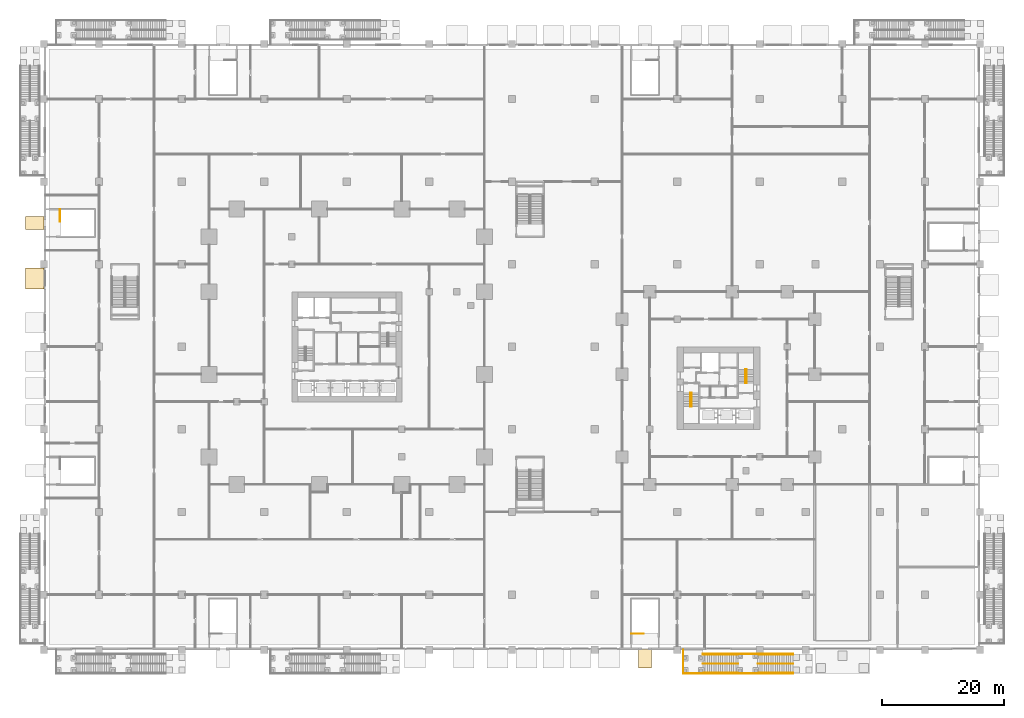
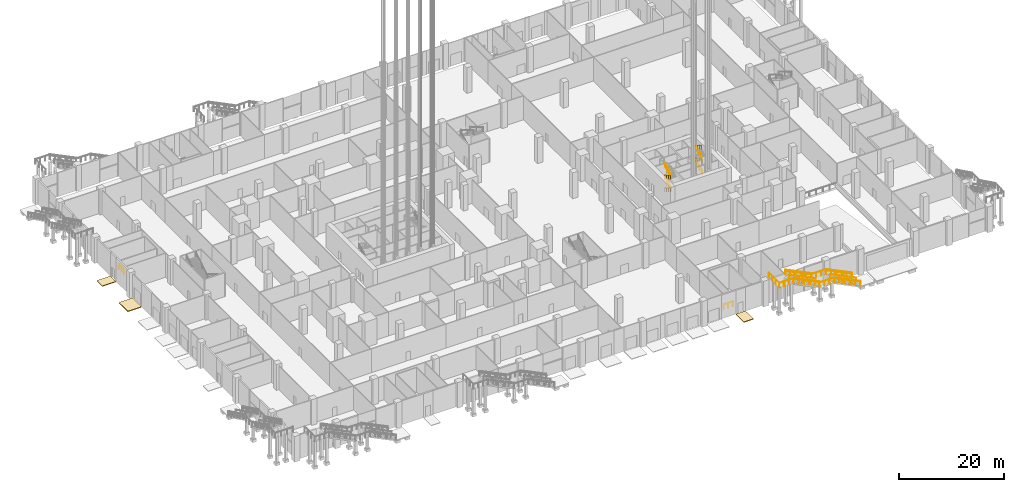
# One storey, part 62 of 68: 24 railings, 3 coverings.
"""IFC4 building model written with IfcOpenShell, lengths in metres."""

from ifc_helpers import new_model, si_unit, direction, frame, origin, origin_2d, place, context, subcontext, project, spatial, polyline, circle, outline, extrude, source, transform, mapped, material, layer, layer_set, type_object, element, save


model = new_model("IFC4")

# Units and contexts
model_context = context("Model", 3, precision=1e-05, world=origin(), true_north=direction((0.0, 1.0)))
body_context = subcontext(model_context, "Body", "Model", "MODEL_VIEW")
ifc_project = project(units=[si_unit("LENGTHUNIT", "METRE"), si_unit("AREAUNIT", "SQUARE_METRE"), si_unit("VOLUMEUNIT", "CUBIC_METRE"), si_unit("PLANEANGLEUNIT", "RADIAN"), si_unit("MASSUNIT", "GRAM", prefix="KILO")], contexts=[model_context])

# Site, building, storey
site_placement = place(None, origin())
site = spatial("IfcSite", under=ifc_project, at=site_placement, CompositionType="ELEMENT")
building_placement = place(site_placement, origin())
building = spatial("IfcBuilding", under=site, at=building_placement, Name="Altepetl Exchange Towers", CompositionType="ELEMENT")
storey_placement = place(building_placement, origin())
storey = spatial("IfcBuildingStorey", under=building, at=storey_placement, Name="L00 Ground concourse", CompositionType="ELEMENT", Elevation=0.0)

# Coverings
ifc_material_1 = material(Name="Cantera limestone paving", Category="masonry")
ifc_layer = layer(ifc_material_1, 0.14990234375)
ifc_layer_set = layer_set([ifc_layer], Name="Cantera limestone paving")
covering_type = type_object("IfcCoveringType", Name="Paving 150 limestone", PredefinedType="FLOORING", material=ifc_layer_set)
covering_1_placement = place(storey_placement, frame((0.0, 0.0, -0.14990234375)))
element("IfcCovering", 1, at=covering_1_placement, inside=storey, type_object=covering_type, Name="Paving", PredefinedType="FLOORING", context=body_context, shape_type="SweptSolid", body=[
    extrude(outline(polyline([(97.199951171875, -3.0), (99.300048828125, -3.0), (99.300048828125, 0.0), (97.199951171875, 0.0), (97.199951171875, -3.0)])), origin(), (0.0, 0.0, 1.0), 0.14990234375),
])
covering_2_placement = place(storey_placement, frame((0.0, 0.0, -0.14990234375)))
element("IfcCovering", 2, at=covering_2_placement, inside=storey, type_object=covering_type, Name="Paving", PredefinedType="FLOORING", context=body_context, shape_type="SweptSolid", body=[
    extrude(outline(polyline([(-3.0, 58.949951171875), (0.0, 58.949951171875), (0.0, 62.35009765625), (-3.0, 62.35009765625), (-3.0, 58.949951171875)])), origin(), (0.0, 0.0, 1.0), 0.14990234375),
])
covering_3_placement = place(storey_placement, frame((0.0, 0.0, -0.14990234375)))
element("IfcCovering", 3, at=covering_3_placement, inside=storey, type_object=covering_type, Name="Paving", PredefinedType="FLOORING", context=body_context, shape_type="SweptSolid", body=[
    extrude(outline(polyline([(-3.0, 68.699951171875), (0.0, 68.699951171875), (0.0, 70.800048828125), (-3.0, 70.800048828125), (-3.0, 68.699951171875)])), origin(), (0.0, 0.0, 1.0), 0.14990234375),
])

# Railings
ifc_material_2 = material(Name="Steel", Category="steel")
railing_type_1 = type_object("IfcRailingType", Name="Stair handrail 50 steel tube", PredefinedType="HANDRAIL", material=ifc_material_2)
shared_shape_1 = source(origin(), body_context, "Body", "SweptSolid", [
    extrude(circle(Radius=0.02099609375, at=origin_2d()), origin(), (0.0, 0.0, 1.0), 0.851806640625),
])
railing_1_placement = place(storey_placement, frame((105.669921875, 41.949951171875, 0.166748046875)))
element("IfcRailing", 4, at=railing_1_placement, inside=storey, type_object=railing_type_1, Name="Stair handrail", PredefinedType="HANDRAIL", context=body_context, shape_type="SweptSolid", body=[
    extrude(circle(Radius=0.02392578125, at=origin_2d()), frame((0.0, 0.0, 0.8759765625), z_axis=(0.0, -0.859305625298, 0.511462454469), x_axis=(1.0, 0.0, 0.0)), (0.0, 0.0, 1.0), 2.606689453125),
    mapped(shared_shape_1, transform((0.0, 0.0, 0.0))),
    mapped(shared_shape_1, transform((0.0, -0.74658203125, 0.4443359375))),
    mapped(shared_shape_1, transform((0.0, -1.493408203125, 0.888916015625))),
    mapped(shared_shape_1, transform((0.0, -2.239990234375, 1.333251953125))),
])
railing_2_placement = place(storey_placement, frame((105.830078125, 39.7099609375, 1.666748046875)))
element("IfcRailing", 5, at=railing_2_placement, inside=storey, type_object=railing_type_1, Name="Stair handrail", PredefinedType="HANDRAIL", context=body_context, shape_type="SweptSolid", body=[
    extrude(circle(Radius=0.02392578125, at=origin_2d()), frame((0.0, 0.0, 0.8759765625), z_axis=(0.0, 0.859305625298, 0.511462454469), x_axis=(-1.0, 0.0, 0.0)), (0.0, 0.0, 1.0), 2.606689453125),
    mapped(shared_shape_1, transform((0.0, 0.0, 0.0))),
    mapped(shared_shape_1, transform((0.0, 0.74658203125, 0.4443359375))),
    mapped(shared_shape_1, transform((0.0, 1.493408203125, 0.888916015625))),
    mapped(shared_shape_1, transform((0.0, 2.239990234375, 1.333251953125))),
])
railing_3_placement = place(storey_placement, frame((105.669921875, 41.949951171875, 3.166748046875)))
element("IfcRailing", 6, at=railing_3_placement, inside=storey, type_object=railing_type_1, Name="Stair handrail", PredefinedType="HANDRAIL", context=body_context, shape_type="SweptSolid", body=[
    extrude(circle(Radius=0.02392578125, at=origin_2d()), frame((0.0, 0.0, 0.8759765625), z_axis=(0.0, -0.859305625298, 0.511462454469), x_axis=(1.0, 0.0, 0.0)), (0.0, 0.0, 1.0), 2.606689453125),
    mapped(shared_shape_1, transform((0.0, 0.0, 0.0))),
    mapped(shared_shape_1, transform((0.0, -0.74658203125, 0.4443359375))),
    mapped(shared_shape_1, transform((0.0, -1.493408203125, 0.888916015625))),
    mapped(shared_shape_1, transform((0.0, -2.239990234375, 1.333251953125))),
])
for number, where, name in (
    (7, (105.830078125, 39.7099609375, 4.666748046875), "Stair handrail"),
    (8, (114.830078125, 43.550048828125, 0.166748046875), "Stair handrail"),
):
    element("IfcRailing", number, at=place(storey_placement, frame(where)), inside=storey, type_object=railing_type_1, Name=name, PredefinedType="HANDRAIL", context=body_context, shape_type="SweptSolid", body=[
        extrude(circle(Radius=0.02392578125, at=origin_2d()), frame((0.0, 0.0, 0.8759765625), z_axis=(0.0, 0.859305625298, 0.511462454469), x_axis=(-1.0, 0.0, 0.0)), (0.0, 0.0, 1.0), 2.606689453125),
        mapped(shared_shape_1, transform((0.0, 0.0, 0.0))),
        mapped(shared_shape_1, transform((0.0, 0.74658203125, 0.4443359375))),
        mapped(shared_shape_1, transform((0.0, 1.493408203125, 0.888916015625))),
        mapped(shared_shape_1, transform((0.0, 2.239990234375, 1.333251953125))),
    ])
railing_4_placement = place(storey_placement, frame((114.669921875, 45.7900390625, 1.666748046875)))
element("IfcRailing", 9, at=railing_4_placement, inside=storey, type_object=railing_type_1, Name="Stair handrail", PredefinedType="HANDRAIL", context=body_context, shape_type="SweptSolid", body=[
    extrude(circle(Radius=0.02392578125, at=origin_2d()), frame((0.0, 0.0, 0.8759765625), z_axis=(0.0, -0.859305625298, 0.511462454469), x_axis=(1.0, 0.0, 0.0)), (0.0, 0.0, 1.0), 2.606689453125),
    mapped(shared_shape_1, transform((0.0, 0.0, 0.0))),
    mapped(shared_shape_1, transform((0.0, -0.74658203125, 0.4443359375))),
    mapped(shared_shape_1, transform((0.0, -1.493408203125, 0.888916015625))),
    mapped(shared_shape_1, transform((0.0, -2.239990234375, 1.333251953125))),
])
railing_5_placement = place(storey_placement, frame((114.830078125, 43.550048828125, 3.166748046875)))
element("IfcRailing", 10, at=railing_5_placement, inside=storey, type_object=railing_type_1, Name="Stair handrail", PredefinedType="HANDRAIL", context=body_context, shape_type="SweptSolid", body=[
    extrude(circle(Radius=0.02392578125, at=origin_2d()), frame((0.0, 0.0, 0.8759765625), z_axis=(0.0, 0.859305625298, 0.511462454469), x_axis=(-1.0, 0.0, 0.0)), (0.0, 0.0, 1.0), 2.606689453125),
    mapped(shared_shape_1, transform((0.0, 0.0, 0.0))),
    mapped(shared_shape_1, transform((0.0, 0.74658203125, 0.4443359375))),
    mapped(shared_shape_1, transform((0.0, 1.493408203125, 0.888916015625))),
    mapped(shared_shape_1, transform((0.0, 2.239990234375, 1.333251953125))),
])
railing_6_placement = place(storey_placement, frame((114.669921875, 45.7900390625, 4.666748046875)))
element("IfcRailing", 11, at=railing_6_placement, inside=storey, type_object=railing_type_1, Name="Stair handrail", PredefinedType="HANDRAIL", context=body_context, shape_type="SweptSolid", body=[
    extrude(circle(Radius=0.02392578125, at=origin_2d()), frame((0.0, 0.0, 0.8759765625), z_axis=(0.0, -0.859305625298, 0.511462454469), x_axis=(1.0, 0.0, 0.0)), (0.0, 0.0, 1.0), 2.606689453125),
    mapped(shared_shape_1, transform((0.0, 0.0, 0.0))),
    mapped(shared_shape_1, transform((0.0, -0.74658203125, 0.4443359375))),
    mapped(shared_shape_1, transform((0.0, -1.493408203125, 0.888916015625))),
    mapped(shared_shape_1, transform((0.0, -2.239990234375, 1.333251953125))),
])
ifc_material_3 = material(Name="Laminated glass and steel", Category="steel")
railing_type_2 = type_object("IfcRailingType", Name="Hall gallery guard 1100", PredefinedType="GUARDRAIL", material=ifc_material_3)
shared_shape_2 = source(origin(), body_context, "Body", "SweptSolid", [
    extrude(circle(Radius=0.02001953125, at=origin_2d()), origin(), (0.0, 0.0, 1.0), 1.050048828125),
])
railing_7_placement = place(storey_placement, frame((96.0, 2.60009765625, 0.0)))
element("IfcRailing", 12, at=railing_7_placement, inside=storey, type_object=railing_type_2, Name="rail:P:L00:ES2top", PredefinedType="GUARDRAIL", context=body_context, shape_type="SweptSolid", body=[
    extrude(circle(Radius=0.02490234375, at=origin_2d()), frame((0.0, 0.0, 1.0751953125), z_axis=(1.0, 0.0, 0.0), x_axis=(0.0, 1.0, 0.0)), (0.0, 0.0, 1.0), 2.02490234375),
    mapped(shared_shape_2, transform((0.0, 0.0, 0.0))),
    mapped(shared_shape_2, transform((1.012451171875, 0.0, 0.0))),
    mapped(shared_shape_2, transform((2.02490234375, 0.0, 0.0))),
])
railing_8_placement = place(storey_placement, frame((2.60009765625, 72.0, 0.0)))
element("IfcRailing", 13, at=railing_8_placement, inside=storey, type_object=railing_type_2, Name="rail:P:L00:ES4top", PredefinedType="GUARDRAIL", context=body_context, shape_type="SweptSolid", body=[
    extrude(circle(Radius=0.02490234375, at=origin_2d()), frame((0.0, 0.0, 1.0751953125), z_axis=(0.0, -1.0, 0.0), x_axis=(1.0, 0.0, 0.0)), (0.0, 0.0, 1.0), 2.02490234375),
    mapped(shared_shape_2, transform((0.0, 0.0, 0.0))),
    mapped(shared_shape_2, transform((0.0, -1.012451171875, 0.0))),
    mapped(shared_shape_2, transform((0.0, -2.02490234375, 0.0))),
])
for number, where, name in (
    (14, (113.4599609375, -3.89990234375, 3.176513671875), "rail:P:L00:G7flightA"),
    (15, (113.4599609375, -0.699951171875, 3.176513671875), "rail:P:L00:G7flightA_in"),
    (16, (122.419921875, -3.89990234375, 0.176513671875), "rail:P:L00:G7flightB"),
    (17, (122.419921875, -0.699951171875, 0.176513671875), "rail:P:L00:G7flightB_in"),
):
    element("IfcRailing", number, at=place(storey_placement, frame(where)), inside=storey, type_object=railing_type_2, Name=name, PredefinedType="GUARDRAIL", context=body_context, shape_type="SweptSolid", body=[
        extrude(circle(Radius=0.02490234375, at=origin_2d()), frame((0.0, 0.0, 1.0751953125), z_axis=(-0.897923672095, 0.0, 0.440151200262), x_axis=(0.0, -1.0, 0.0)), (0.0, 0.0, 1.0), 6.414794921875),
        mapped(shared_shape_2, transform((0.0, 0.0, 0.0))),
        mapped(shared_shape_2, transform((-1.152099609375, 0.0, 0.564697265625))),
        mapped(shared_shape_2, transform((-2.303955078125, 0.0, 1.12939453125))),
        mapped(shared_shape_2, transform((-3.4560546875, 0.0, 1.694091796875))),
        mapped(shared_shape_2, transform((-4.60791015625, 0.0, 2.2587890625))),
        mapped(shared_shape_2, transform((-5.760009765625, 0.0, 2.823486328125))),
    ])
for number, where, name in (
    (18, (113.4599609375, -3.89990234375, 3.0), "rail:P:L00:G7mid"),
    (19, (113.4599609375, -0.699951171875, 3.0), "rail:P:L00:G7mid_in"),
):
    element("IfcRailing", number, at=place(storey_placement, frame(where)), inside=storey, type_object=railing_type_2, Name=name, PredefinedType="GUARDRAIL", context=body_context, shape_type="SweptSolid", body=[
        extrude(circle(Radius=0.02490234375, at=origin_2d()), frame((0.0, 0.0, 1.0751953125), z_axis=(1.0, 0.0, 0.0), x_axis=(0.0, 1.0, 0.0)), (0.0, 0.0, 1.0), 3.199951171875),
        mapped(shared_shape_2, transform((0.0, 0.0, 0.0))),
        mapped(shared_shape_2, transform((1.066650390625, 0.0, 0.0))),
        mapped(shared_shape_2, transform((2.13330078125, 0.0, 0.0))),
        mapped(shared_shape_2, transform((3.199951171875, 0.0, 0.0))),
    ])
railing_9_placement = place(storey_placement, frame((104.5, 0.0, 6.0)))
element("IfcRailing", 20, at=railing_9_placement, inside=storey, type_object=railing_type_2, Name="rail:P:L00:G7platform_end", PredefinedType="GUARDRAIL", context=body_context, shape_type="SweptSolid", body=[
    extrude(circle(Radius=0.02490234375, at=origin_2d()), frame((0.0, 0.0, 1.0751953125), z_axis=(0.0, -1.0, 0.0), x_axis=(1.0, 0.0, 0.0)), (0.0, 0.0, 1.0), 3.89990234375),
    mapped(shared_shape_2, transform((0.0, 0.0, 0.0))),
    mapped(shared_shape_2, transform((0.0, -1.300048828125, 0.0))),
    mapped(shared_shape_2, transform((0.0, -2.599853515625, 0.0))),
    mapped(shared_shape_2, transform((0.0, -3.89990234375, 0.0))),
])
railing_10_placement = place(storey_placement, frame((104.5, -3.89990234375, 6.0)))
element("IfcRailing", 21, at=railing_10_placement, inside=storey, type_object=railing_type_2, Name="rail:P:L00:G7platform_out", PredefinedType="GUARDRAIL", context=body_context, shape_type="SweptSolid", body=[
    extrude(circle(Radius=0.02490234375, at=origin_2d()), frame((0.0, 0.0, 1.0751953125), z_axis=(1.0, 0.0, 0.0), x_axis=(0.0, 1.0, 0.0)), (0.0, 0.0, 1.0), 3.199951171875),
    mapped(shared_shape_2, transform((0.0, 0.0, 0.0))),
    mapped(shared_shape_2, transform((1.066650390625, 0.0, 0.0))),
    mapped(shared_shape_2, transform((2.13330078125, 0.0, 0.0))),
    mapped(shared_shape_2, transform((3.199951171875, 0.0, 0.0))),
])
ifc_material_4 = material(Name="Stainless steel", Category="steel")
railing_type_3 = type_object("IfcRailingType", Name="Stair handrail 900", PredefinedType="HANDRAIL", material=ifc_material_4)
shared_shape_3 = source(origin(), body_context, "Body", "SweptSolid", [
    extrude(circle(Radius=0.02001953125, at=origin_2d()), origin(), (0.0, 0.0, 1.0), 0.849853515625),
])
for number, where, name in (
    (22, (113.4599609375, -0.800048828125, 3.176513671875), "rail:P:L00:G7hA_in"),
    (23, (113.4599609375, -2.300048828125, 3.176513671875), "rail:P:L00:G7hA_mid"),
    (24, (113.4599609375, -3.800048828125, 3.176513671875), "rail:P:L00:G7hA_out"),
    (25, (122.419921875, -0.800048828125, 0.176513671875), "rail:P:L00:G7hB_in"),
    (26, (122.419921875, -2.300048828125, 0.176513671875), "rail:P:L00:G7hB_mid"),
    (27, (122.419921875, -3.800048828125, 0.176513671875), "rail:P:L00:G7hB_out"),
):
    element("IfcRailing", number, at=place(storey_placement, frame(where)), inside=storey, type_object=railing_type_3, Name=name, PredefinedType="HANDRAIL", context=body_context, shape_type="SweptSolid", body=[
        extrude(circle(Radius=0.02490234375, at=origin_2d()), frame((0.0, 0.0, 0.875), z_axis=(-0.897923672095, 0.0, 0.440151200262), x_axis=(0.0, -1.0, 0.0)), (0.0, 0.0, 1.0), 6.414794921875),
        mapped(shared_shape_3, transform((0.0, 0.0, 0.0))),
        mapped(shared_shape_3, transform((-1.919921875, 0.0, 0.941162109375))),
        mapped(shared_shape_3, transform((-3.840087890625, 0.0, 1.88232421875))),
        mapped(shared_shape_3, transform((-5.760009765625, 0.0, 2.823486328125))),
    ])

save(model, "model.ifc")
